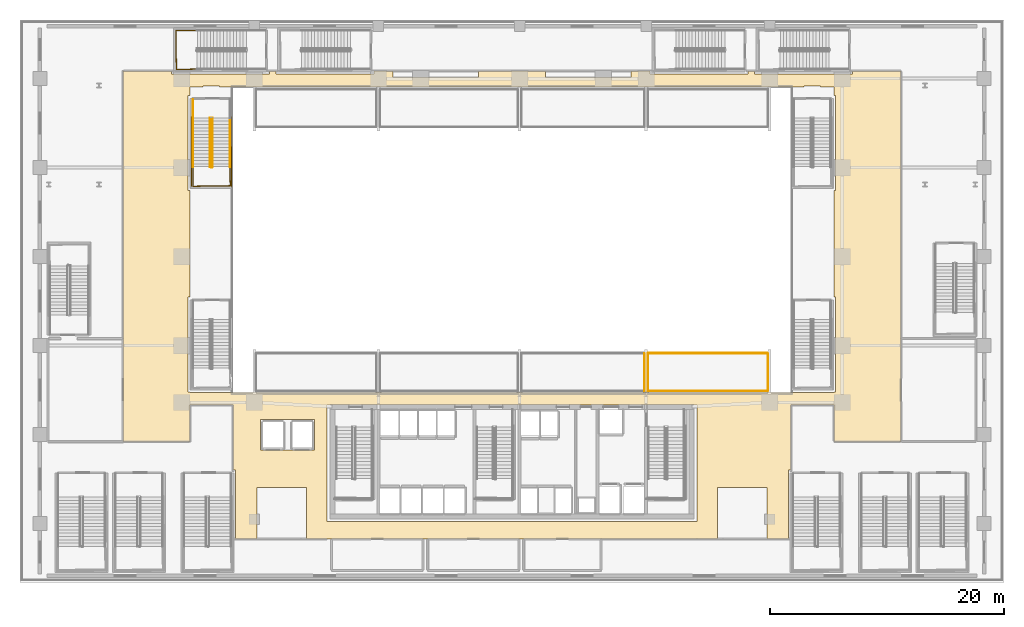
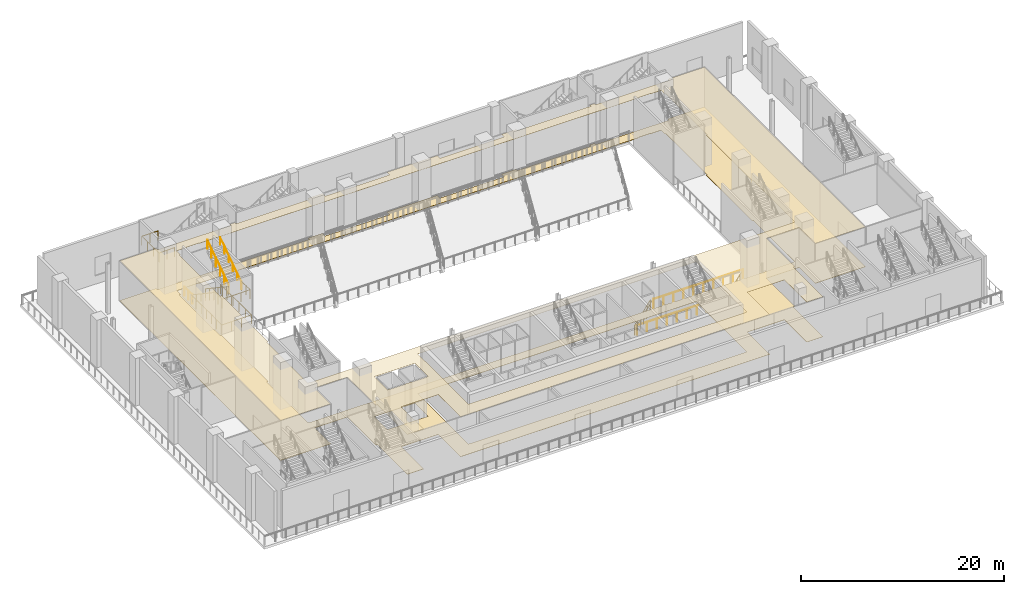
# One storey, part 22 of 30: 13 railings, 2 coverings.
"""IFC4 building model written with IfcOpenShell, lengths in metres."""

from ifc_helpers import new_model, si_unit, direction, frame, origin, origin_2d, place, context, subcontext, project, spatial, polyline, circle, outline, extrude, material, layer, layer_set, type_object, element, save


model = new_model("IFC4")

# Units and contexts
model_context = context("Model", 3, precision=1e-05, world=origin(), true_north=direction((0.0, 1.0)))
body_context = subcontext(model_context, "Body", "Model", "MODEL_VIEW")
ifc_project = project(units=[si_unit("LENGTHUNIT", "METRE"), si_unit("AREAUNIT", "SQUARE_METRE"), si_unit("VOLUMEUNIT", "CUBIC_METRE"), si_unit("PLANEANGLEUNIT", "RADIAN"), si_unit("MASSUNIT", "GRAM", prefix="KILO")], contexts=[model_context])

# Site, building, storey
site_placement = place(None, origin())
site = spatial("IfcSite", under=ifc_project, at=site_placement, CompositionType="ELEMENT")
building_placement = place(site_placement, origin())
building = spatial("IfcBuilding", under=site, at=building_placement, Name="Ndaravel Arena Tower", CompositionType="ELEMENT")
storey_placement = place(building_placement, frame((0.0, 0.0, 6.0)))
storey = spatial("IfcBuildingStorey", under=building, at=storey_placement, Name="L01", CompositionType="ELEMENT", Elevation=6.0)

# Coverings
ifc_material_1 = material(Name="Acoustic Ceiling Tile", Category="finish")
ifc_layer_1 = layer(ifc_material_1, 0.02490234375)
ifc_layer_set_1 = layer_set([ifc_layer_1], Name="Acoustic Ceiling Tile")
covering_type_1 = type_object("IfcCoveringType", Name="COV-CEIL-AC600", PredefinedType="CEILING", material=ifc_layer_set_1)
covering_1_placement = place(storey_placement, frame((0.0, 0.0, 4.7890625)))
element("IfcCovering", 1, at=covering_1_placement, inside=storey, type_object=covering_type_1, Name="L01 Corridor Acoustic Ceiling", PredefinedType="CEILING", context=body_context, shape_type="SweptSolid", body=[
    extrude(outline(polyline([(59.550048828125, 3.699951171875), (59.550048828125, 8.10009765625), (63.75, 8.10009765625), (63.75, 3.699951171875), (65.60009765625, 3.699951171875), (65.60009765625, 9.60009765625), (65.800048828125, 9.60009765625), (65.800048828125, 15.14990234375), (69.5, 15.14990234375), (69.5, 12.0), (75.199951171875, 12.0), (75.199951171875, 43.64990234375), (71.050048828125, 43.64990234375), (71.050048828125, 43.409912109375), (62.699951171875, 43.409912109375), (62.699951171875, 43.64990234375), (62.14990234375, 43.64990234375), (62.14990234375, 43.409912109375), (53.800048828125, 43.409912109375), (53.800048828125, 43.64990234375), (52.14990234375, 43.64990234375), (52.14990234375, 43.110107421875), (44.85009765625, 43.110107421875), (44.85009765625, 43.64990234375), (39.14990234375, 43.64990234375), (39.14990234375, 43.110107421875), (31.85009765625, 43.110107421875), (31.85009765625, 43.64990234375), (30.199951171875, 43.64990234375), (30.199951171875, 43.409912109375), (21.85009765625, 43.409912109375), (21.85009765625, 43.64990234375), (21.300048828125, 43.64990234375), (21.300048828125, 43.409912109375), (12.949951171875, 43.409912109375), (12.949951171875, 43.64990234375), (8.800048828125, 43.64990234375), (8.800048828125, 12.0), (14.5, 12.0), (14.5, 15.14990234375), (18.199951171875, 15.14990234375), (18.199951171875, 9.60009765625), (18.39990234375, 9.60009765625), (18.39990234375, 3.699951171875), (20.25, 3.699951171875), (20.25, 8.10009765625), (24.449951171875, 8.10009765625), (24.449951171875, 3.699951171875), (26.199951171875, 3.699951171875), (57.800048828125, 3.699951171875), (59.550048828125, 3.699951171875)]), holes=[polyline([(69.5, 42.300048828125), (69.5, 41.550048828125), (69.610107421875, 41.550048828125), (69.610107421875, 33.449951171875), (69.5, 33.449951171875), (69.5, 24.35009765625), (69.610107421875, 24.35009765625), (69.610107421875, 16.25), (69.5, 16.25), (69.5, 16.199951171875), (14.5, 16.199951171875), (14.5, 16.25), (14.35009765625, 16.25), (14.35009765625, 24.35009765625), (14.5, 24.35009765625), (14.5, 33.449951171875), (14.35009765625, 33.449951171875), (14.35009765625, 41.550048828125), (14.5, 41.550048828125), (14.5, 42.300048828125), (15.6298828125, 42.300048828125), (15.6298828125, 42.35009765625), (17.030029296875, 42.35009765625), (17.030029296875, 42.300048828125), (66.929931640625, 42.300048828125), (66.929931640625, 42.35009765625), (68.330078125, 42.35009765625), (68.330078125, 42.300048828125), (69.5, 42.300048828125)]), polyline([(26.199951171875, 15.14990234375), (57.800048828125, 15.14990234375), (57.800048828125, 5.199951171875), (26.199951171875, 5.199951171875), (26.199951171875, 15.14990234375)]), polyline([(25.14990234375, 13.89990234375), (25.14990234375, 11.300048828125), (20.550048828125, 11.300048828125), (20.550048828125, 13.89990234375), (25.14990234375, 13.89990234375)])]), origin(), (0.0, 0.0, 1.0), 0.025146484375),
])
ifc_material_2 = material(Name="Terrazzo", Category="stone")
ifc_layer_2 = layer(ifc_material_2, 0.030029296875)
ifc_layer_set_2 = layer_set([ifc_layer_2], Name="Terrazzo")
covering_type_2 = type_object("IfcCoveringType", Name="COV-FLOOR-TERRAZZO", PredefinedType="FLOORING", material=ifc_layer_set_2)
covering_2_placement = place(storey_placement, origin())
element("IfcCovering", 2, at=covering_2_placement, inside=storey, type_object=covering_type_2, Name="L01 Corridor Terrazzo Flooring", PredefinedType="FLOORING", context=body_context, shape_type="SweptSolid", body=[
    extrude(outline(polyline([(59.550048828125, 3.699951171875), (59.550048828125, 8.10009765625), (63.75, 8.10009765625), (63.75, 3.699951171875), (65.60009765625, 3.699951171875), (65.60009765625, 9.60009765625), (65.800048828125, 9.60009765625), (65.800048828125, 15.14990234375), (69.5, 15.14990234375), (69.5, 12.0), (75.199951171875, 12.0), (75.199951171875, 43.64990234375), (71.050048828125, 43.64990234375), (71.050048828125, 43.409912109375), (62.699951171875, 43.409912109375), (62.699951171875, 43.64990234375), (62.14990234375, 43.64990234375), (62.14990234375, 43.409912109375), (53.800048828125, 43.409912109375), (53.800048828125, 43.64990234375), (52.14990234375, 43.64990234375), (52.14990234375, 43.110107421875), (44.85009765625, 43.110107421875), (44.85009765625, 43.64990234375), (39.14990234375, 43.64990234375), (39.14990234375, 43.110107421875), (31.85009765625, 43.110107421875), (31.85009765625, 43.64990234375), (30.199951171875, 43.64990234375), (30.199951171875, 43.409912109375), (21.85009765625, 43.409912109375), (21.85009765625, 43.64990234375), (21.300048828125, 43.64990234375), (21.300048828125, 43.409912109375), (12.949951171875, 43.409912109375), (12.949951171875, 43.64990234375), (8.800048828125, 43.64990234375), (8.800048828125, 12.0), (14.5, 12.0), (14.5, 15.14990234375), (18.199951171875, 15.14990234375), (18.199951171875, 9.60009765625), (18.39990234375, 9.60009765625), (18.39990234375, 3.699951171875), (20.25, 3.699951171875), (20.25, 8.10009765625), (24.449951171875, 8.10009765625), (24.449951171875, 3.699951171875), (26.199951171875, 3.699951171875), (57.800048828125, 3.699951171875), (59.550048828125, 3.699951171875)]), holes=[polyline([(69.5, 42.300048828125), (69.5, 41.550048828125), (69.610107421875, 41.550048828125), (69.610107421875, 33.449951171875), (69.5, 33.449951171875), (69.5, 24.35009765625), (69.610107421875, 24.35009765625), (69.610107421875, 16.25), (69.5, 16.25), (69.5, 16.199951171875), (14.5, 16.199951171875), (14.5, 16.25), (14.35009765625, 16.25), (14.35009765625, 24.35009765625), (14.5, 24.35009765625), (14.5, 33.449951171875), (14.35009765625, 33.449951171875), (14.35009765625, 41.550048828125), (14.5, 41.550048828125), (14.5, 42.300048828125), (15.6298828125, 42.300048828125), (15.6298828125, 42.35009765625), (17.030029296875, 42.35009765625), (17.030029296875, 42.300048828125), (66.929931640625, 42.300048828125), (66.929931640625, 42.35009765625), (68.330078125, 42.35009765625), (68.330078125, 42.300048828125), (69.5, 42.300048828125)]), polyline([(26.199951171875, 15.14990234375), (57.800048828125, 15.14990234375), (57.800048828125, 5.199951171875), (26.199951171875, 5.199951171875), (26.199951171875, 15.14990234375)]), polyline([(25.14990234375, 13.89990234375), (25.14990234375, 11.300048828125), (20.550048828125, 11.300048828125), (20.550048828125, 13.89990234375), (25.14990234375, 13.89990234375)])]), origin(), (0.0, 0.0, 1.0), 0.030029296875),
])

# Railings
ifc_material_3 = material(Name="Steel S355", Category="steel")
ifc_layer_3 = layer(ifc_material_3, 0.06005859375)
ifc_layer_set_3 = layer_set([ifc_layer_3], Name="Steel S355")
railing_type_1 = type_object("IfcRailingType", Name="RAIL-STAIR-GD1100", PredefinedType="GUARDRAIL", material=ifc_layer_set_3)
railing_1_placement = place(storey_placement, frame((15.1298828125, 47.090087890625, 3.0)))
element("IfcRailing", 3, at=railing_1_placement, inside=storey, type_object=railing_type_1, Name="L01 ST-A08 stair guard 2", PredefinedType="GUARDRAIL", context=body_context, shape_type="SweptSolid", body=[
    extrude(circle(Radius=0.02392578125, at=origin_2d()), frame((0.0, 0.0, 1.076171875), z_axis=(-1.0, 0.0, 0.0), x_axis=(0.0, -1.0, 0.0)), (0.0, 0.0, 1.0), 1.829833984375),
    extrude(circle(Radius=0.02392578125, at=origin_2d()), frame((-1.829833984375, 0.0, 1.076171875), z_axis=(0.015027628384, -0.999887078817, 0.0), x_axis=(0.999887078817, 0.015027628384, 0.0)), (0.0, 0.0, 1.0), 3.33056640625),
    extrude(circle(Radius=0.02392578125, at=origin_2d()), frame((-1.77978515625, -3.330078125, 1.076171875), z_axis=(0.999604847084, 0.028109601324, 0.0), x_axis=(-0.028109601324, 0.999604847084, 0.0)), (0.0, 0.0, 1.0), 1.780517578125),
    extrude(circle(Radius=0.02099609375, at=origin_2d()), origin(), (0.0, 0.0, 1.0), 1.052001953125),
    extrude(circle(Radius=0.02099609375, at=origin_2d()), frame((-0.9150390625, 0.0, 0.0)), (0.0, 0.0, 1.0), 1.052001953125),
    extrude(circle(Radius=0.02099609375, at=origin_2d()), frame((-1.829833984375, 0.0, 0.0)), (0.0, 0.0, 1.0), 1.052001953125),
    extrude(circle(Radius=0.02099609375, at=origin_2d()), frame((-1.813232421875, -1.110107421875, 0.0)), (0.0, 0.0, 1.0), 1.052001953125),
    extrude(circle(Radius=0.02099609375, at=origin_2d()), frame((-1.79638671875, -2.219970703125, 0.0)), (0.0, 0.0, 1.0), 1.052001953125),
    extrude(circle(Radius=0.02099609375, at=origin_2d()), frame((-1.77978515625, -3.330078125, 0.0)), (0.0, 0.0, 1.0), 1.052001953125),
    extrude(circle(Radius=0.02099609375, at=origin_2d()), frame((-0.889892578125, -3.30517578125, 0.0)), (0.0, 0.0, 1.0), 1.052001953125),
    extrude(circle(Radius=0.02099609375, at=origin_2d()), frame((0.0, -3.280029296875, 0.0)), (0.0, 0.0, 1.0), 1.052001953125),
])
railing_2_placement = place(storey_placement, frame((16.2099609375, 39.639892578125, 0.1875)))
element("IfcRailing", 4, at=railing_2_placement, inside=storey, type_object=railing_type_1, Name="L01 ST-VOM-2 stair guard 1", PredefinedType="GUARDRAIL", context=body_context, shape_type="SweptSolid", body=[
    extrude(circle(Radius=0.02392578125, at=origin_2d()), frame((0.0, 0.0, 1.076171875), z_axis=(0.0, -0.830904186295, 0.556415522067), x_axis=(1.0, 0.0, 0.0)), (0.0, 0.0, 1.0), 5.0546875),
    extrude(circle(Radius=0.02392578125, at=origin_2d()), frame((0.0, -4.199951171875, 3.888671875), z_axis=(0.966993988697, -0.254799187253, 0.0), x_axis=(0.254799187253, 0.966993988697, 0.0)), (0.0, 0.0, 1.0), 0.196533203125),
    extrude(circle(Radius=0.02099609375, at=origin_2d()), origin(), (0.0, 0.0, 1.0), 1.052001953125),
    extrude(circle(Radius=0.02099609375, at=origin_2d()), frame((0.0, -0.840087890625, 0.5625)), (0.0, 0.0, 1.0), 1.052001953125),
    extrude(circle(Radius=0.02099609375, at=origin_2d()), frame((0.0, -1.679931640625, 1.125)), (0.0, 0.0, 1.0), 1.052001953125),
    extrude(circle(Radius=0.02099609375, at=origin_2d()), frame((0.0, -2.52001953125, 1.6875)), (0.0, 0.0, 1.0), 1.052001953125),
    extrude(circle(Radius=0.02099609375, at=origin_2d()), frame((0.0, -3.35986328125, 2.25)), (0.0, 0.0, 1.0), 1.052001953125),
    extrude(circle(Radius=0.02099609375, at=origin_2d()), frame((0.0, -4.199951171875, 2.8125)), (0.0, 0.0, 1.0), 1.052001953125),
    extrude(circle(Radius=0.02099609375, at=origin_2d()), frame((0.18994140625, -4.25, 2.8125)), (0.0, 0.0, 1.0), 1.052001953125),
])
railing_3_placement = place(storey_placement, frame((14.75, 35.43994140625, 3.0)))
element("IfcRailing", 5, at=railing_3_placement, inside=storey, type_object=railing_type_1, Name="L01 ST-VOM-2 stair guard 2", PredefinedType="GUARDRAIL", context=body_context, shape_type="SweptSolid", body=[
    extrude(circle(Radius=0.02392578125, at=origin_2d()), frame((0.0, 0.0, 1.076171875), z_axis=(0.0, -1.0, 0.0), x_axis=(1.0, 0.0, 0.0)), (0.0, 0.0, 1.0), 1.639892578125),
    extrude(circle(Radius=0.02392578125, at=origin_2d()), frame((0.0, -1.639892578125, 1.076171875), z_axis=(0.999878471214, 0.015589830134, 0.0), x_axis=(-0.015589830134, 0.999878471214, 0.0)), (0.0, 0.0, 1.0), 3.21044921875),
    extrude(circle(Radius=0.02392578125, at=origin_2d()), frame((3.2099609375, -1.58984375, 1.076171875), z_axis=(-0.031464756864, 0.999504861957, 0.0), x_axis=(-0.999504861957, -0.031464756864, 0.0)), (0.0, 0.0, 1.0), 1.590576171875),
    extrude(circle(Radius=0.02099609375, at=origin_2d()), origin(), (0.0, 0.0, 1.0), 1.052001953125),
    extrude(circle(Radius=0.02099609375, at=origin_2d()), frame((0.0, -0.81982421875, 0.0)), (0.0, 0.0, 1.0), 1.052001953125),
    extrude(circle(Radius=0.02099609375, at=origin_2d()), frame((0.0, -1.639892578125, 0.0)), (0.0, 0.0, 1.0), 1.052001953125),
    extrude(circle(Radius=0.02099609375, at=origin_2d()), frame((1.070068359375, -1.623291015625, 0.0)), (0.0, 0.0, 1.0), 1.052001953125),
    extrude(circle(Radius=0.02099609375, at=origin_2d()), frame((2.139892578125, -1.6064453125, 0.0)), (0.0, 0.0, 1.0), 1.052001953125),
    extrude(circle(Radius=0.02099609375, at=origin_2d()), frame((3.2099609375, -1.58984375, 0.0)), (0.0, 0.0, 1.0), 1.052001953125),
    extrude(circle(Radius=0.02099609375, at=origin_2d()), frame((3.18505859375, -0.794921875, 0.0)), (0.0, 0.0, 1.0), 1.052001953125),
    extrude(circle(Radius=0.02099609375, at=origin_2d()), frame((3.159912109375, 0.0, 0.0)), (0.0, 0.0, 1.0), 1.052001953125),
])
railing_4_placement = place(storey_placement, frame((16.449951171875, 35.43994140625, 3.1875)))
element("IfcRailing", 6, at=railing_4_placement, inside=storey, type_object=railing_type_1, Name="L01 ST-VOM-2 stair guard 3", PredefinedType="GUARDRAIL", context=body_context, shape_type="SweptSolid", body=[
    extrude(circle(Radius=0.02392578125, at=origin_2d()), frame((0.0, 0.0, 1.076171875), z_axis=(0.0, 0.830904186295, 0.556415522067), x_axis=(-1.0, 0.0, 0.0)), (0.0, 0.0, 1.0), 5.0546875),
    extrude(circle(Radius=0.02099609375, at=origin_2d()), origin(), (0.0, 0.0, 1.0), 1.052001953125),
    extrude(circle(Radius=0.02099609375, at=origin_2d()), frame((0.0, 0.840087890625, 0.5625)), (0.0, 0.0, 1.0), 1.052001953125),
    extrude(circle(Radius=0.02099609375, at=origin_2d()), frame((0.0, 1.679931640625, 1.125)), (0.0, 0.0, 1.0), 1.052001953125),
    extrude(circle(Radius=0.02099609375, at=origin_2d()), frame((0.0, 2.52001953125, 1.6875)), (0.0, 0.0, 1.0), 1.052001953125),
    extrude(circle(Radius=0.02099609375, at=origin_2d()), frame((0.0, 3.35986328125, 2.25)), (0.0, 0.0, 1.0), 1.052001953125),
    extrude(circle(Radius=0.02099609375, at=origin_2d()), frame((0.0, 4.199951171875, 2.8125)), (0.0, 0.0, 1.0), 1.052001953125),
])
railing_5_placement = place(storey_placement, frame((14.75, 41.199951171875, 0.0)))
element("IfcRailing", 7, at=railing_5_placement, inside=storey, type_object=railing_type_1, Name="L01 ST-VOM-2 stair guard 5", PredefinedType="GUARDRAIL", context=body_context, shape_type="SweptSolid", body=[
    extrude(circle(Radius=0.02392578125, at=origin_2d()), frame((0.0, 0.0, 1.076171875), z_axis=(0.0, -1.0, 0.0), x_axis=(1.0, 0.0, 0.0)), (0.0, 0.0, 1.0), 1.56005859375),
    extrude(circle(Radius=0.02099609375, at=origin_2d()), origin(), (0.0, 0.0, 1.0), 1.052001953125),
    extrude(circle(Radius=0.02099609375, at=origin_2d()), frame((0.0, -0.780029296875, 0.0)), (0.0, 0.0, 1.0), 1.052001953125),
    extrude(circle(Radius=0.02099609375, at=origin_2d()), frame((0.0, -1.56005859375, 0.0)), (0.0, 0.0, 1.0), 1.052001953125),
])
railing_6_placement = place(storey_placement, frame((14.64990234375, 39.739990234375, 0.0)))
element("IfcRailing", 8, at=railing_6_placement, inside=storey, type_object=railing_type_1, Name="L01 ST-VOM-2 stair guard 7", PredefinedType="GUARDRAIL", context=body_context, shape_type="SweptSolid", body=[
    extrude(circle(Radius=0.02392578125, at=origin_2d()), frame((0.0, 0.0, 1.076171875), z_axis=(0.0, -1.0, 0.0), x_axis=(1.0, 0.0, 0.0)), (0.0, 0.0, 1.0), 6.0400390625),
    extrude(circle(Radius=0.02392578125, at=origin_2d()), frame((0.0, -6.0400390625, 1.076171875), z_axis=(0.99989231899, 0.014674822837, 0.0), x_axis=(-0.014674822837, 0.99989231899, 0.0)), (0.0, 0.0, 1.0), 3.41064453125),
    extrude(circle(Radius=0.02392578125, at=origin_2d()), frame((3.41015625, -5.989990234375, 1.076171875), z_axis=(-0.008355118995, 0.999965095384, 0.0), x_axis=(-0.999965095384, -0.008355118995, 0.0)), (0.0, 0.0, 1.0), 5.990234375),
    extrude(circle(Radius=0.02099609375, at=origin_2d()), origin(), (0.0, 0.0, 1.0), 1.052001953125),
    extrude(circle(Radius=0.02099609375, at=origin_2d()), frame((0.0, -1.006591796875, 0.0)), (0.0, 0.0, 1.0), 1.052001953125),
    extrude(circle(Radius=0.02099609375, at=origin_2d()), frame((0.0, -2.013427734375, 0.0)), (0.0, 0.0, 1.0), 1.052001953125),
    extrude(circle(Radius=0.02099609375, at=origin_2d()), frame((0.0, -3.02001953125, 0.0)), (0.0, 0.0, 1.0), 1.052001953125),
    extrude(circle(Radius=0.02099609375, at=origin_2d()), frame((0.0, -4.026611328125, 0.0)), (0.0, 0.0, 1.0), 1.052001953125),
    extrude(circle(Radius=0.02099609375, at=origin_2d()), frame((0.0, -5.033447265625, 0.0)), (0.0, 0.0, 1.0), 1.052001953125),
    extrude(circle(Radius=0.02099609375, at=origin_2d()), frame((0.0, -6.0400390625, 0.0)), (0.0, 0.0, 1.0), 1.052001953125),
    extrude(circle(Radius=0.02099609375, at=origin_2d()), frame((1.13671875, -6.0234375, 0.0)), (0.0, 0.0, 1.0), 1.052001953125),
    extrude(circle(Radius=0.02099609375, at=origin_2d()), frame((2.2734375, -6.006591796875, 0.0)), (0.0, 0.0, 1.0), 1.052001953125),
    extrude(circle(Radius=0.02099609375, at=origin_2d()), frame((3.41015625, -5.989990234375, 0.0)), (0.0, 0.0, 1.0), 1.052001953125),
    extrude(circle(Radius=0.02099609375, at=origin_2d()), frame((3.400146484375, -4.7919921875, 0.0)), (0.0, 0.0, 1.0), 1.052001953125),
    extrude(circle(Radius=0.02099609375, at=origin_2d()), frame((3.39013671875, -3.593994140625, 0.0)), (0.0, 0.0, 1.0), 1.052001953125),
    extrude(circle(Radius=0.02099609375, at=origin_2d()), frame((3.380126953125, -2.39599609375, 0.0)), (0.0, 0.0, 1.0), 1.052001953125),
    extrude(circle(Radius=0.02099609375, at=origin_2d()), frame((3.3701171875, -1.197998046875, 0.0)), (0.0, 0.0, 1.0), 1.052001953125),
    extrude(circle(Radius=0.02099609375, at=origin_2d()), frame((3.360107421875, 0.0, 0.0)), (0.0, 0.0, 1.0), 1.052001953125),
])
ifc_material_4 = material(Name="Steel S355", Category="steel")
ifc_layer_4 = layer(ifc_material_4, 0.050048828125)
ifc_layer_set_4 = layer_set([ifc_layer_4], Name="Steel S355")
railing_type_2 = type_object("IfcRailingType", Name="RAIL-STAIR-HR920", PredefinedType="HANDRAIL", material=ifc_layer_set_4)
railing_7_placement = place(storey_placement, frame((14.75, 39.639892578125, 0.1875)))
element("IfcRailing", 9, at=railing_7_placement, inside=storey, type_object=railing_type_2, Name="L01 ST-VOM-2 stair handrail 1", PredefinedType="HANDRAIL", context=body_context, shape_type="SweptSolid", body=[
    extrude(circle(Radius=0.02392578125, at=origin_2d()), frame((0.0, 0.0, 0.8759765625), z_axis=(0.0, -0.830904186295, 0.556415522067), x_axis=(1.0, 0.0, 0.0)), (0.0, 0.0, 1.0), 5.0546875),
    extrude(circle(Radius=0.02099609375, at=origin_2d()), origin(), (0.0, 0.0, 1.0), 0.851806640625),
    extrude(circle(Radius=0.02099609375, at=origin_2d()), frame((0.0, -0.840087890625, 0.5625)), (0.0, 0.0, 1.0), 0.851806640625),
    extrude(circle(Radius=0.02099609375, at=origin_2d()), frame((0.0, -1.679931640625, 1.125)), (0.0, 0.0, 1.0), 0.851806640625),
    extrude(circle(Radius=0.02099609375, at=origin_2d()), frame((0.0, -2.52001953125, 1.6875)), (0.0, 0.0, 1.0), 0.851806640625),
    extrude(circle(Radius=0.02099609375, at=origin_2d()), frame((0.0, -3.35986328125, 2.25)), (0.0, 0.0, 1.0), 0.851806640625),
    extrude(circle(Radius=0.02099609375, at=origin_2d()), frame((0.0, -4.199951171875, 2.8125)), (0.0, 0.0, 1.0), 0.851806640625),
])
railing_8_placement = place(storey_placement, frame((17.909912109375, 35.43994140625, 3.1875)))
element("IfcRailing", 10, at=railing_8_placement, inside=storey, type_object=railing_type_2, Name="L01 ST-VOM-2 stair handrail 2", PredefinedType="HANDRAIL", context=body_context, shape_type="SweptSolid", body=[
    extrude(circle(Radius=0.02392578125, at=origin_2d()), frame((0.0, 0.0, 0.8759765625), z_axis=(0.0, 0.830904186295, 0.556415522067), x_axis=(-1.0, 0.0, 0.0)), (0.0, 0.0, 1.0), 5.0546875),
    extrude(circle(Radius=0.02099609375, at=origin_2d()), origin(), (0.0, 0.0, 1.0), 0.851806640625),
    extrude(circle(Radius=0.02099609375, at=origin_2d()), frame((0.0, 0.840087890625, 0.5625)), (0.0, 0.0, 1.0), 0.851806640625),
    extrude(circle(Radius=0.02099609375, at=origin_2d()), frame((0.0, 1.679931640625, 1.125)), (0.0, 0.0, 1.0), 0.851806640625),
    extrude(circle(Radius=0.02099609375, at=origin_2d()), frame((0.0, 2.52001953125, 1.6875)), (0.0, 0.0, 1.0), 0.851806640625),
    extrude(circle(Radius=0.02099609375, at=origin_2d()), frame((0.0, 3.35986328125, 2.25)), (0.0, 0.0, 1.0), 0.851806640625),
    extrude(circle(Radius=0.02099609375, at=origin_2d()), frame((0.0, 4.199951171875, 2.8125)), (0.0, 0.0, 1.0), 0.851806640625),
])
ifc_material_5 = material(Name="Glazing", Category="glass")
ifc_layer_5 = layer(ifc_material_5, 0.070068359375)
ifc_layer_set_5 = layer_set([ifc_layer_5], Name="Glazing")
railing_type_3 = type_object("IfcRailingType", Name="RAIL-TERRACE-1150", PredefinedType="BALUSTRADE", material=ifc_layer_set_5)
railing_9_placement = place(storey_placement, frame((53.300048828125, 19.510009765625, -5.090087890625)))
element("IfcRailing", 11, at=railing_9_placement, inside=storey, type_object=railing_type_3, Name="L01 Lower South Stand Guard 3E", PredefinedType="BALUSTRADE", context=body_context, shape_type="SweptSolid", body=[
    extrude(circle(Radius=0.02392578125, at=origin_2d()), frame((0.0, 0.0, 1.1259765625), z_axis=(0.0, -0.531193675034, 0.847250423195), x_axis=(1.0, 0.0, 0.0)), (0.0, 0.0, 1.0), 5.94873046875),
    extrude(circle(Radius=0.02099609375, at=origin_2d()), origin(), (0.0, 0.0, 1.0), 1.101806640625),
    extrude(circle(Radius=0.02099609375, at=origin_2d()), frame((0.0, -0.632080078125, 1.008056640625)), (0.0, 0.0, 1.0), 1.101806640625),
    extrude(circle(Radius=0.02099609375, at=origin_2d()), frame((0.0, -1.263916015625, 2.01611328125)), (0.0, 0.0, 1.0), 1.101806640625),
    extrude(circle(Radius=0.02099609375, at=origin_2d()), frame((0.0, -1.89599609375, 3.02392578125)), (0.0, 0.0, 1.0), 1.101806640625),
    extrude(circle(Radius=0.02099609375, at=origin_2d()), frame((0.0, -2.52783203125, 4.031982421875)), (0.0, 0.0, 1.0), 1.101806640625),
    extrude(circle(Radius=0.02099609375, at=origin_2d()), frame((0.0, -3.159912109375, 5.0400390625)), (0.0, 0.0, 1.0), 1.101806640625),
])
railing_10_placement = place(storey_placement, frame((53.60009765625, 16.35009765625, -0.050048828125)))
element("IfcRailing", 12, at=railing_10_placement, inside=storey, type_object=railing_type_3, Name="L01 Lower South Stand Guard 4W", PredefinedType="BALUSTRADE", context=body_context, shape_type="SweptSolid", body=[
    extrude(circle(Radius=0.02392578125, at=origin_2d()), frame((0.0, 0.0, 1.1259765625), z_axis=(0.0, 0.531193675034, -0.847250423195), x_axis=(-1.0, 0.0, 0.0)), (0.0, 0.0, 1.0), 5.94873046875),
    extrude(circle(Radius=0.02099609375, at=origin_2d()), origin(), (0.0, 0.0, 1.0), 1.101806640625),
    extrude(circle(Radius=0.02099609375, at=origin_2d()), frame((0.0, 0.632080078125, -1.008056640625)), (0.0, 0.0, 1.0), 1.101806640625),
    extrude(circle(Radius=0.02099609375, at=origin_2d()), frame((0.0, 1.263916015625, -2.01611328125)), (0.0, 0.0, 1.0), 1.101806640625),
    extrude(circle(Radius=0.02099609375, at=origin_2d()), frame((0.0, 1.89599609375, -3.02392578125)), (0.0, 0.0, 1.0), 1.101806640625),
    extrude(circle(Radius=0.02099609375, at=origin_2d()), frame((0.0, 2.52783203125, -4.031982421875)), (0.0, 0.0, 1.0), 1.101806640625),
    extrude(circle(Radius=0.02099609375, at=origin_2d()), frame((0.0, 3.159912109375, -5.0400390625)), (0.0, 0.0, 1.0), 1.101806640625),
])
railing_11_placement = place(storey_placement, frame((53.639892578125, 19.550048828125, -5.14990234375)))
element("IfcRailing", 13, at=railing_11_placement, inside=storey, type_object=railing_type_3, Name="L01 Lower South Stand Guard 4F", PredefinedType="BALUSTRADE", context=body_context, shape_type="SweptSolid", body=[
    extrude(circle(Radius=0.02392578125, at=origin_2d()), frame((0.0, 0.0, 1.1259765625), z_axis=(1.0, 0.0, 0.0), x_axis=(0.0, 1.0, 0.0)), (0.0, 0.0, 1.0), 10.170166015625),
    extrude(circle(Radius=0.02099609375, at=origin_2d()), origin(), (0.0, 0.0, 1.0), 1.101806640625),
    extrude(circle(Radius=0.02099609375, at=origin_2d()), frame((1.130126953125, 0.0, 0.0)), (0.0, 0.0, 1.0), 1.101806640625),
    extrude(circle(Radius=0.02099609375, at=origin_2d()), frame((2.260009765625, 0.0, 0.0)), (0.0, 0.0, 1.0), 1.101806640625),
    extrude(circle(Radius=0.02099609375, at=origin_2d()), frame((3.39013671875, 0.0, 0.0)), (0.0, 0.0, 1.0), 1.101806640625),
    extrude(circle(Radius=0.02099609375, at=origin_2d()), frame((4.52001953125, 0.0, 0.0)), (0.0, 0.0, 1.0), 1.101806640625),
    extrude(circle(Radius=0.02099609375, at=origin_2d()), frame((5.650146484375, 0.0, 0.0)), (0.0, 0.0, 1.0), 1.101806640625),
    extrude(circle(Radius=0.02099609375, at=origin_2d()), frame((6.780029296875, 0.0, 0.0)), (0.0, 0.0, 1.0), 1.101806640625),
    extrude(circle(Radius=0.02099609375, at=origin_2d()), frame((7.91015625, 0.0, 0.0)), (0.0, 0.0, 1.0), 1.101806640625),
    extrude(circle(Radius=0.02099609375, at=origin_2d()), frame((9.0400390625, 0.0, 0.0)), (0.0, 0.0, 1.0), 1.101806640625),
    extrude(circle(Radius=0.02099609375, at=origin_2d()), frame((10.170166015625, 0.0, 0.0)), (0.0, 0.0, 1.0), 1.101806640625),
])
railing_12_placement = place(storey_placement, frame((63.85009765625, 19.510009765625, -5.090087890625)))
element("IfcRailing", 14, at=railing_12_placement, inside=storey, type_object=railing_type_3, Name="L01 Lower South Stand Guard 4E", PredefinedType="BALUSTRADE", context=body_context, shape_type="SweptSolid", body=[
    extrude(circle(Radius=0.02392578125, at=origin_2d()), frame((0.0, 0.0, 1.1259765625), z_axis=(0.0, -0.531193675034, 0.847250423195), x_axis=(1.0, 0.0, 0.0)), (0.0, 0.0, 1.0), 5.94873046875),
    extrude(circle(Radius=0.02099609375, at=origin_2d()), origin(), (0.0, 0.0, 1.0), 1.101806640625),
    extrude(circle(Radius=0.02099609375, at=origin_2d()), frame((0.0, -0.632080078125, 1.008056640625)), (0.0, 0.0, 1.0), 1.101806640625),
    extrude(circle(Radius=0.02099609375, at=origin_2d()), frame((0.0, -1.263916015625, 2.01611328125)), (0.0, 0.0, 1.0), 1.101806640625),
    extrude(circle(Radius=0.02099609375, at=origin_2d()), frame((0.0, -1.89599609375, 3.02392578125)), (0.0, 0.0, 1.0), 1.101806640625),
    extrude(circle(Radius=0.02099609375, at=origin_2d()), frame((0.0, -2.52783203125, 4.031982421875)), (0.0, 0.0, 1.0), 1.101806640625),
    extrude(circle(Radius=0.02099609375, at=origin_2d()), frame((0.0, -3.159912109375, 5.0400390625)), (0.0, 0.0, 1.0), 1.101806640625),
])
railing_13_placement = place(storey_placement, frame((53.639892578125, 16.320068359375, -0.050048828125)))
element("IfcRailing", 15, at=railing_13_placement, inside=storey, type_object=railing_type_3, Name="L01 Lower South Stand Guard 4T", PredefinedType="BALUSTRADE", context=body_context, shape_type="SweptSolid", body=[
    extrude(circle(Radius=0.02392578125, at=origin_2d()), frame((0.0, 0.0, 1.1259765625), z_axis=(1.0, 0.0, 0.0), x_axis=(0.0, 1.0, 0.0)), (0.0, 0.0, 1.0), 10.170166015625),
    extrude(circle(Radius=0.02099609375, at=origin_2d()), origin(), (0.0, 0.0, 1.0), 1.101806640625),
    extrude(circle(Radius=0.02099609375, at=origin_2d()), frame((1.130126953125, 0.0, 0.0)), (0.0, 0.0, 1.0), 1.101806640625),
    extrude(circle(Radius=0.02099609375, at=origin_2d()), frame((2.260009765625, 0.0, 0.0)), (0.0, 0.0, 1.0), 1.101806640625),
    extrude(circle(Radius=0.02099609375, at=origin_2d()), frame((3.39013671875, 0.0, 0.0)), (0.0, 0.0, 1.0), 1.101806640625),
    extrude(circle(Radius=0.02099609375, at=origin_2d()), frame((4.52001953125, 0.0, 0.0)), (0.0, 0.0, 1.0), 1.101806640625),
    extrude(circle(Radius=0.02099609375, at=origin_2d()), frame((5.650146484375, 0.0, 0.0)), (0.0, 0.0, 1.0), 1.101806640625),
    extrude(circle(Radius=0.02099609375, at=origin_2d()), frame((6.780029296875, 0.0, 0.0)), (0.0, 0.0, 1.0), 1.101806640625),
    extrude(circle(Radius=0.02099609375, at=origin_2d()), frame((7.91015625, 0.0, 0.0)), (0.0, 0.0, 1.0), 1.101806640625),
    extrude(circle(Radius=0.02099609375, at=origin_2d()), frame((9.0400390625, 0.0, 0.0)), (0.0, 0.0, 1.0), 1.101806640625),
    extrude(circle(Radius=0.02099609375, at=origin_2d()), frame((10.170166015625, 0.0, 0.0)), (0.0, 0.0, 1.0), 1.101806640625),
])

save(model, "model.ifc")
